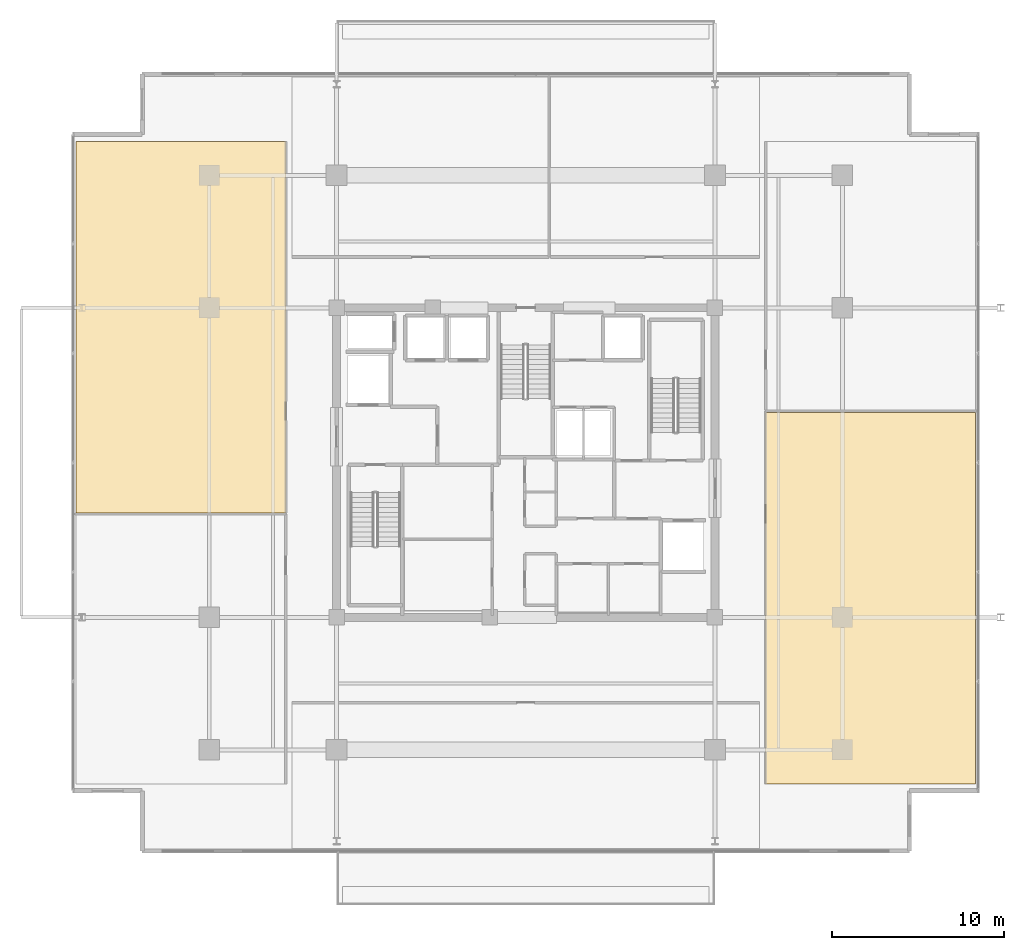
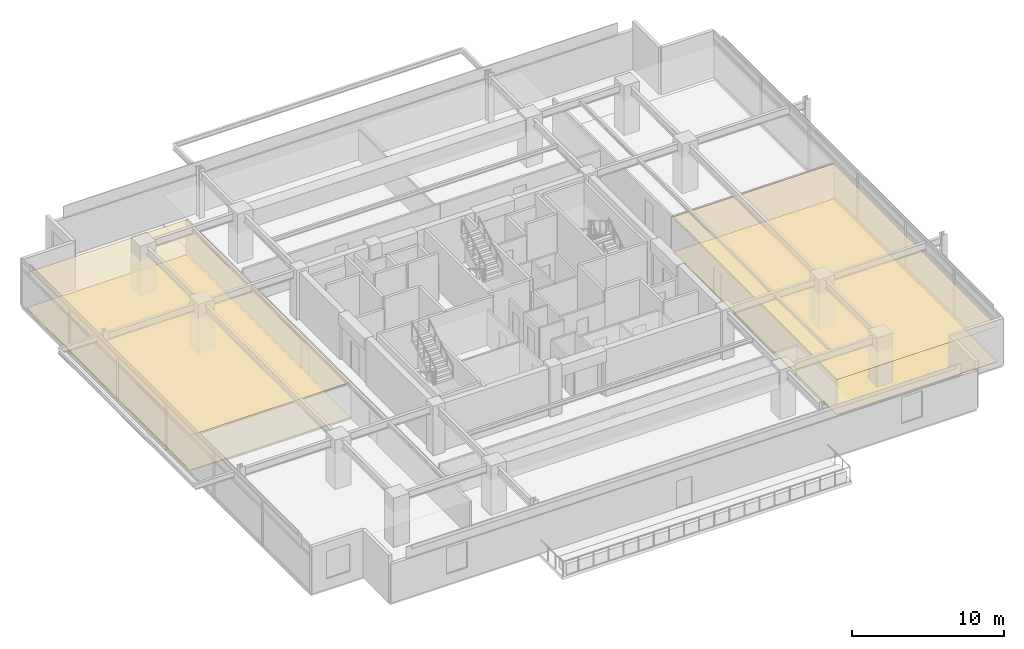
# One storey, part 21 of 23: 4 coverings.
"""IFC4 building model written with IfcOpenShell, lengths in metres."""

from ifc_helpers import new_model, si_unit, direction, frame, origin, place, context, subcontext, project, spatial, polyline, outline, extrude, material, layer, layer_set, type_object, element, save


model = new_model("IFC4")

# Units and contexts
model_context = context("Model", 3, precision=1e-05, world=origin(), true_north=direction((0.0, 1.0)))
body_context = subcontext(model_context, "Body", "Model", "MODEL_VIEW")
ifc_project = project(units=[si_unit("LENGTHUNIT", "METRE"), si_unit("AREAUNIT", "SQUARE_METRE"), si_unit("VOLUMEUNIT", "CUBIC_METRE"), si_unit("PLANEANGLEUNIT", "RADIAN"), si_unit("MASSUNIT", "GRAM", prefix="KILO")], contexts=[model_context])

# Site, building, storey
site_placement = place(None, origin())
site = spatial("IfcSite", under=ifc_project, at=site_placement, CompositionType="ELEMENT")
building_placement = place(site_placement, origin())
building = spatial("IfcBuilding", under=site, at=building_placement, Name="Kovane Verandah Tower", CompositionType="ELEMENT")
storey_placement = place(building_placement, frame((0.0, 0.0, 243.199951171875)))
storey = spatial("IfcBuildingStorey", under=building, at=storey_placement, Name="L56", CompositionType="ELEMENT", Elevation=243.199951171875)

# Coverings
ifc_material_1 = material(Name="Perforated Acoustic Mineral-Fibre Ceiling Tile", Category="gypsum")
ifc_layer_1 = layer(ifc_material_1, 0.02490234375)
ifc_layer_set_1 = layer_set([ifc_layer_1], Name="Perforated Acoustic Mineral-Fibre Ceiling Tile")
covering_type_1 = type_object("IfcCoveringType", Name="CV-CEIL-25", PredefinedType="CEILING", material=ifc_layer_set_1)
covering_1_placement = place(storey_placement, frame((0.0, 0.0, 2.824951171875)))
element("IfcCovering", 1, at=covering_1_placement, inside=storey, type_object=covering_type_1, Name="L56 Document and Print Room W2 Acoustic Ceiling", PredefinedType="CEILING", context=body_context, shape_type="SweptSolid", body=[
    extrude(outline(polyline([(13.84228515625, 24.581298828125), (26.050048828125, 24.581298828125), (26.050048828125, 46.179931640625), (13.84228515625, 46.179931640625), (13.84228515625, 24.581298828125)])), origin(), (0.0, 0.0, 1.0), 0.025146484375),
])
covering_2_placement = place(storey_placement, frame((0.0, 0.0, 2.824951171875)))
element("IfcCovering", 2, at=covering_2_placement, inside=storey, type_object=covering_type_1, Name="L56 Open Plan Office E1 Acoustic Ceiling", PredefinedType="CEILING", context=body_context, shape_type="SweptSolid", body=[
    extrude(outline(polyline([(53.949951171875, 8.820068359375), (66.15771484375, 8.820068359375), (66.15771484375, 30.418701171875), (53.949951171875, 30.418701171875), (53.949951171875, 8.820068359375)])), origin(), (0.0, 0.0, 1.0), 0.025146484375),
])
ifc_material_2 = material(Name="Polished Terrazzo and Raised-Access Carpet Tile Finish", Category="concrete")
ifc_layer_2 = layer(ifc_material_2, 0.030029296875)
ifc_layer_set_2 = layer_set([ifc_layer_2], Name="Polished Terrazzo and Raised-Access Carpet Tile Finish")
covering_type_2 = type_object("IfcCoveringType", Name="CV-FLOR-30", PredefinedType="FLOORING", material=ifc_layer_set_2)
covering_3_placement = place(storey_placement, origin())
element("IfcCovering", 3, at=covering_3_placement, inside=storey, type_object=covering_type_2, Name="L56 Document and Print Room W2 Floor Finish", PredefinedType="FLOORING", context=body_context, shape_type="SweptSolid", body=[
    extrude(outline(polyline([(13.84228515625, 24.581298828125), (26.050048828125, 24.581298828125), (26.050048828125, 46.179931640625), (13.84228515625, 46.179931640625), (13.84228515625, 24.581298828125)])), origin(), (0.0, 0.0, 1.0), 0.030029296875),
])
covering_4_placement = place(storey_placement, origin())
element("IfcCovering", 4, at=covering_4_placement, inside=storey, type_object=covering_type_2, Name="L56 Open Plan Office E1 Floor Finish", PredefinedType="FLOORING", context=body_context, shape_type="SweptSolid", body=[
    extrude(outline(polyline([(53.949951171875, 8.820068359375), (66.15771484375, 8.820068359375), (66.15771484375, 30.418701171875), (53.949951171875, 30.418701171875), (53.949951171875, 8.820068359375)])), origin(), (0.0, 0.0, 1.0), 0.030029296875),
])

save(model, "model.ifc")
